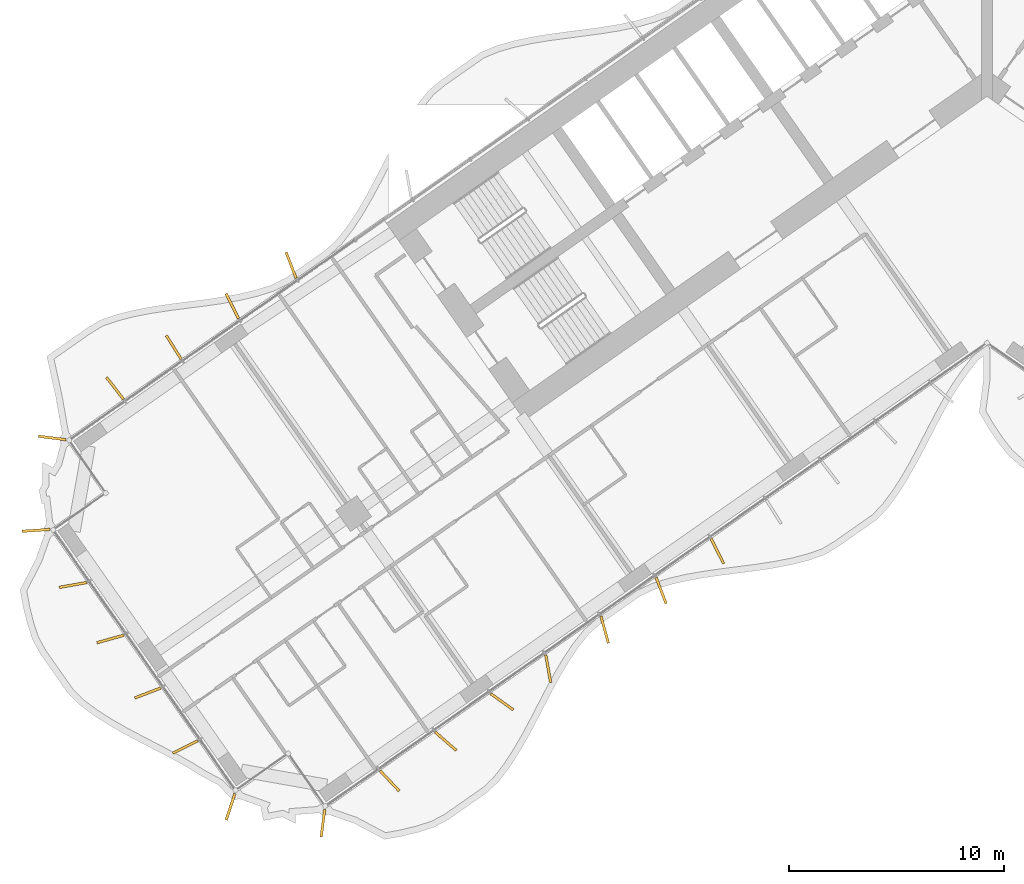
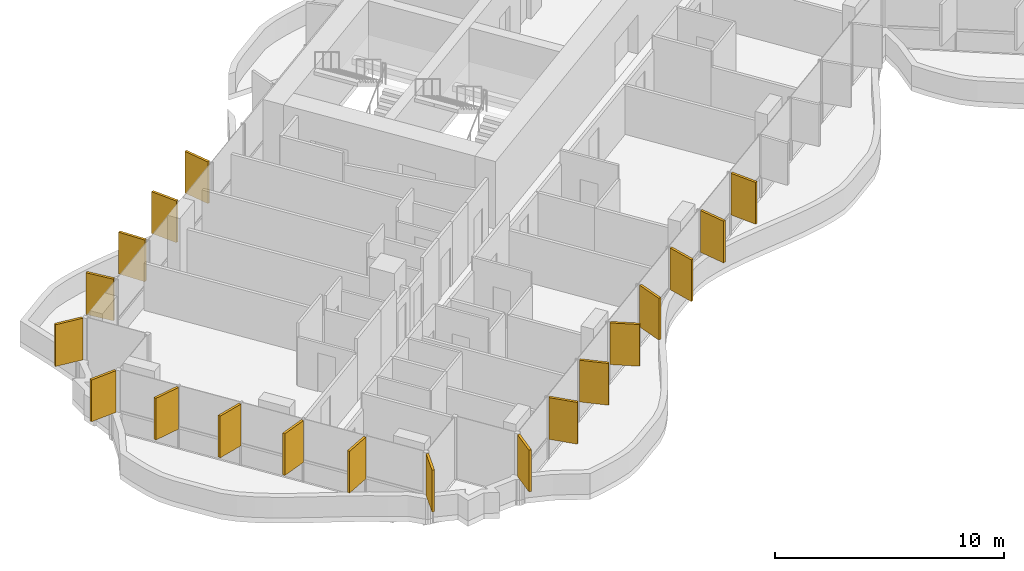
# One storey, part 19 of 24: 19 shading devices.
"""IFC4 building model written with IfcOpenShell, lengths in metres."""

from ifc_helpers import new_model, si_unit, direction, frame, origin, origin_2d, place, context, subcontext, project, spatial, rectangle, extrude, material, layer, layer_set, type_object, element, save


model = new_model("IFC4")

# Units and contexts
model_context = context("Model", 3, precision=1e-05, world=origin(), true_north=direction((0.0, 1.0)))
body_context = subcontext(model_context, "Body", "Model", "MODEL_VIEW")
ifc_project = project(units=[si_unit("LENGTHUNIT", "METRE"), si_unit("AREAUNIT", "SQUARE_METRE"), si_unit("VOLUMEUNIT", "CUBIC_METRE"), si_unit("PLANEANGLEUNIT", "RADIAN"), si_unit("MASSUNIT", "GRAM", prefix="KILO")], contexts=[model_context])

# Site, building, storey
site_placement = place(None, origin())
site = spatial("IfcSite", under=ifc_project, at=site_placement, CompositionType="ELEMENT")
building_placement = place(site_placement, origin())
building = spatial("IfcBuilding", under=site, at=building_placement, Name="Tel Ilan Convention Tower", CompositionType="ELEMENT")
storey_placement = place(building_placement, frame((0.0, 0.0, 90.5)))
storey = spatial("IfcBuildingStorey", under=building, at=storey_placement, Name="L18", CompositionType="ELEMENT", Elevation=90.5)

# Shading devices
ifc_material = material(Name="Aluminium, bronze anodised", Category="aluminium")
ifc_layer = layer(ifc_material, 0.1201171875)
ifc_layer_set = layer_set([ifc_layer], Name="FIN BRONZE 1300x120")
shading_device_type = type_object("IfcShadingDeviceType", Name="FIN BRONZE 1300x120", PredefinedType="USERDEFINED", material=ifc_layer_set)
for number, where, z_axis, x_axis, name in (
    (1, (-32.4052734375, -9.085205078125, 1.10009765625), (0.0, 0.0, 1.0), (-0.360177724803, 0.932883704733, 0.0), "FIN"),
    (2, (-35.139892578125, -10.991943359375, 1.10009765625), (0.0, 0.0, 1.0), (-0.448799180206, 0.893632640321, 0.0), "FIN"),
    (3, (-37.871826171875, -12.904541015625, 1.10009765625), (0.0, 0.0, 1.0), (-0.533204432798, 0.845986425922, 0.0), "FIN"),
    (4, (-40.603759765625, -14.8173828125, 1.10009765625), (0.0, 0.0, 1.0), (-0.612600545196, 0.790392669516, 0.0), "FIN"),
    (5, (-43.531494140625, -17.127685546875, 1.10009765625), (0.0, 0.0, 1.0), (-0.992066016082, 0.125718016748, 0.0), "FIN"),
    (6, (-44.283203125, -21.4296875, 1.10009765625), (0.0, 0.0, 1.0), (-0.997697449973, -0.067821812994, 0.0), "FIN"),
    (7, (-42.560791015625, -23.97265625, 1.10009765625), (0.0, 0.0, 1.0), (-0.984807753012, -0.173648177667, 0.0), "FIN"),
    (8, (-40.82177734375, -26.488525390625, 1.10009765625), (0.0, 0.0, 1.0), (-0.963370878614, -0.268172612768, 0.0), "FIN"),
    (9, (-39.07666015625, -29.00244140625, 1.10009765625), (0.0, 0.0, 1.0), (-0.932883704733, -0.360177724803, 0.0), "FIN"),
    (10, (-37.32568359375, -31.51416015625, 1.10009765625), (0.0, 0.0, 1.0), (-0.893632640321, -0.448799180206, 0.0), "FIN"),
    (11, (-35.223388671875, -34.30029296875, 1.10009765625), (0.0, 0.0, 1.0), (-0.314544756146, -0.949242643575, 0.0), "FIN"),
    (12, (-30.92138671875, -35.059326171875, 1.10009765625), (0.0, 0.0, 1.0), (-0.125718016748, -0.992066016082, 0.0), "FIN"),
    (13, (-27.818603515625, -33.092041015625, 1.10009765625), (0.0, 0.0, 1.0), (0.686241637865, -0.727373641577, 0.0), "FIN"),
    (14, (-25.20166015625, -31.251708984375, 1.10009765625), (0.0, 0.0, 1.0), (0.753435896329, -0.657521368568, 0.0), "FIN"),
    (15, (-22.589599609375, -29.407470703125, 1.10009765625), (0.0, 0.0, 1.0), (0.813552070258, -0.581492071294, 0.0), "FIN"),
    (16, (-20.432373046875, -27.87451171875, 1.10009765625), (0.0, 0.0, 1.0), (0.173648177667, -0.984807753012, 0.0), "FIN"),
    (17, (-17.80419921875, -26.056640625, 1.10009765625), (0.0, 0.0, 1.0), (0.268172612768, -0.963370878614, 0.0), "FIN"),
    (18, (-15.177490234375, -24.23291015625, 1.10009765625), (0.0, 0.0, 1.0), (0.360177724803, -0.932883704733, 0.0), "FIN"),
    (19, (-12.55322265625, -22.403076171875, 1.10009765625), (0.0, 0.0, 1.0), (0.448799180206, -0.893632640321, 0.0), "FIN"),
):
    element("IfcShadingDevice", number, at=place(storey_placement, frame(where, z_axis=z_axis, x_axis=x_axis)), inside=storey, type_object=shading_device_type, Name=name, ObjectType="FIN", PredefinedType="USERDEFINED", context=body_context, shape_type="SweptSolid", body=[
        extrude(rectangle(XDim=1.300048828125, YDim=0.1201171875, at=origin_2d()), origin(), (0.0, 0.0, 1.0), 2.219970703125),
    ])

save(model, "model.ifc")
